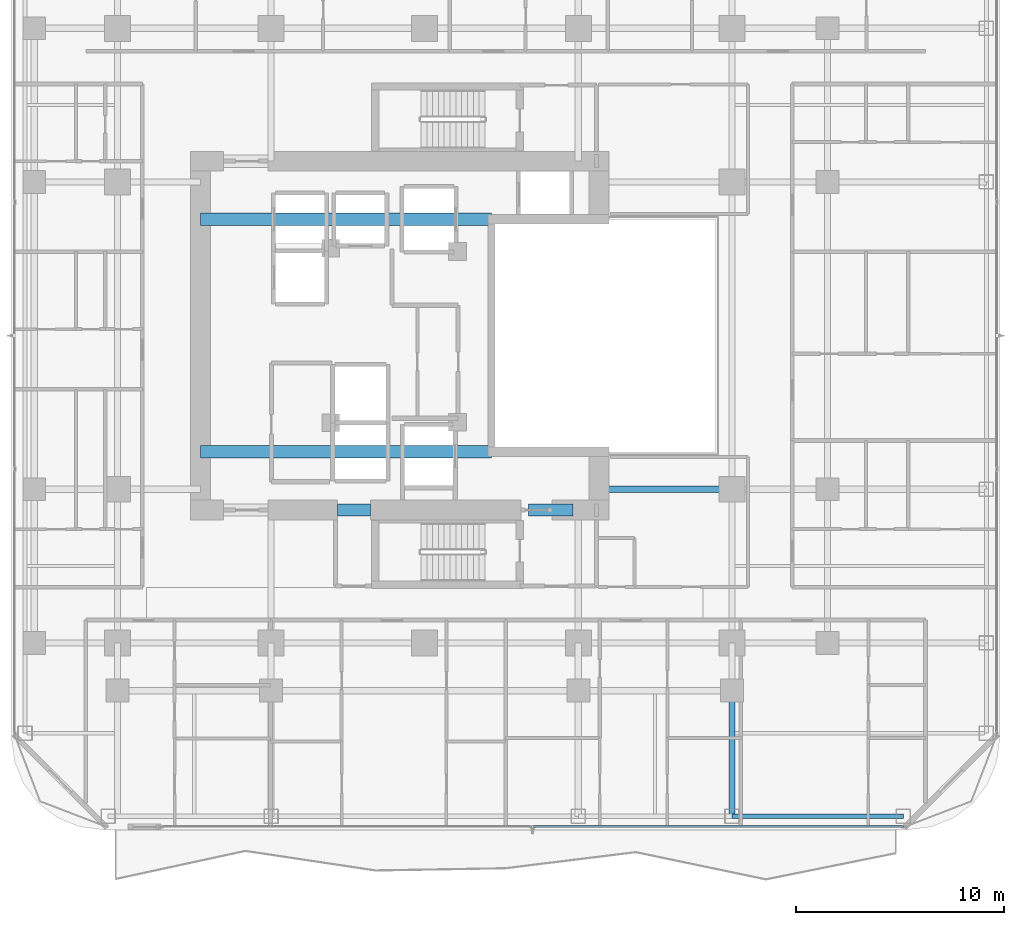
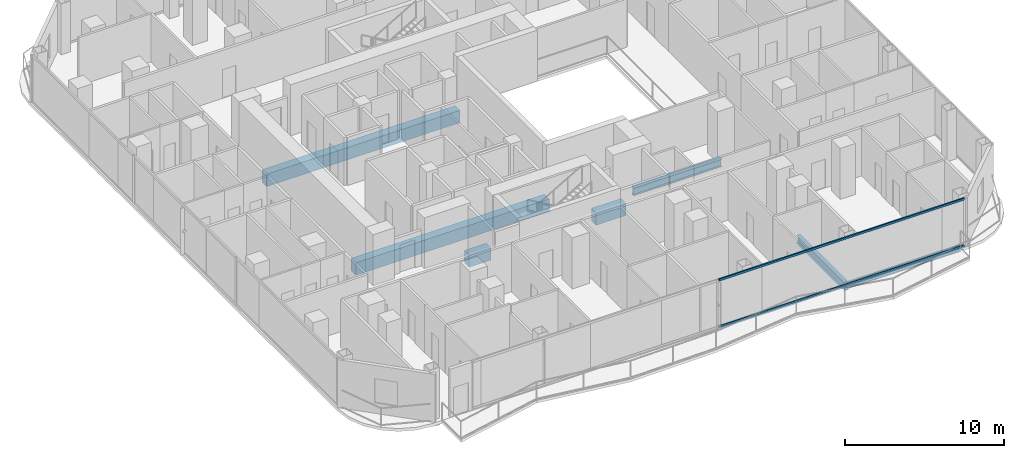
# One storey, part 6 of 29: 7 beams, 2 members, 1 element without a shape of its own.
"""IFC4 building model written with IfcOpenShell, lengths in metres."""

from ifc_helpers import new_model, si_unit, direction, frame, origin, origin_2d, place, context, subcontext, project, spatial, rectangle, hollow_rectangle, i_section, extrude, material, layer, layer_set, material_profile, profile_set, type_object, element, aggregate, save


model = new_model("IFC4")

# Units and contexts
model_context = context("Model", 3, precision=1e-05, world=origin(), true_north=direction((0.0, 1.0)))
body_context = subcontext(model_context, "Body", "Model", "MODEL_VIEW")
ifc_project = project(units=[si_unit("LENGTHUNIT", "METRE"), si_unit("AREAUNIT", "SQUARE_METRE"), si_unit("VOLUMEUNIT", "CUBIC_METRE"), si_unit("PLANEANGLEUNIT", "RADIAN"), si_unit("MASSUNIT", "GRAM", prefix="KILO")], contexts=[model_context])

# Site, building, storey
site_placement = place(None, origin())
site = spatial("IfcSite", under=ifc_project, at=site_placement, CompositionType="ELEMENT")
building_placement = place(site_placement, origin())
building = spatial("IfcBuilding", under=site, at=building_placement, Name="Khorvyn Point Tower", CompositionType="ELEMENT")
storey_placement = place(building_placement, frame((0.0, 0.0, 144.60009765625)))
storey = spatial("IfcBuildingStorey", under=building, at=storey_placement, Name="L36", CompositionType="ELEMENT", Elevation=144.60009765625)

# Curtain wall, members
ifc_material_1 = material(Name="Anodised aluminium 6063-T6 and laminated Low-E glass", Category="aluminium")
ifc_layer = layer(ifc_material_1, 0.18994140625)
ifc_layer_set = layer_set([ifc_layer], Name="Stick-Built Acoustic Curtain Wall CW-SYS-03")
curtain_wall_type = type_object("IfcCurtainWallType", Name="Stick-Built Acoustic Curtain Wall CW-SYS-03", PredefinedType="NOTDEFINED", material=ifc_layer_set)
curtain_wall_placement = place(storey_placement, origin())
curtain_wall = element("IfcCurtainWall", 1, at=curtain_wall_placement, inside=storey, type_object=curtain_wall_type, Name="Curtain Wall", PredefinedType="NOTDEFINED")
ifc_material_2 = material(Name="Anodised aluminium 6063-T6", Category="aluminium")
ifc_material_profile_1 = material_profile(ifc_material_2, hollow_rectangle(XDim=0.10009765625, YDim=0.159912109375, WallThickness=0.00439453125, at=origin_2d()))
ifc_profile_set_1 = profile_set([ifc_material_profile_1], Name="Anodised aluminium 6063-T6 ALU-TRN-100x160")
member_type = type_object("IfcMemberType", Name="Anodised Aluminium 6063-T6 Transom ALU-TRN-100x160", PredefinedType="USERDEFINED", material=ifc_profile_set_1)
member_1_placement = place(storey_placement, frame((23.050048828125, -23.64990234375, 0.0498046875), z_axis=(-1.0, 0.0, 0.0), x_axis=(0.0, -1.0, 0.0)))
member_1 = element("IfcMember", 2, at=member_1_placement, type_object=member_type, Name="Transom", ObjectType="TRANSOM", PredefinedType="USERDEFINED", context=body_context, shape_type="SweptSolid", body=[
    extrude(hollow_rectangle(XDim=0.10009765625, YDim=0.159912109375, WallThickness=0.00439453125, at=origin_2d()), origin(), (0.0, 0.0, 1.0), 17.8095703125),
])
member_2_placement = place(storey_placement, frame((23.050048828125, -23.64990234375, 3.6298828125), z_axis=(-1.0, 0.0, 0.0), x_axis=(0.0, -1.0, 0.0)))
member_2 = element("IfcMember", 3, at=member_2_placement, type_object=member_type, Name="Transom", ObjectType="TRANSOM", PredefinedType="USERDEFINED", context=body_context, shape_type="SweptSolid", body=[
    extrude(hollow_rectangle(XDim=0.10009765625, YDim=0.159912109375, WallThickness=0.00439453125, at=origin_2d()), origin(), (0.0, 0.0, 1.0), 17.8095703125),
])
aggregate(curtain_wall, [member_1, member_2])

# Beams
ifc_material_3 = material(Name="Concrete C50/60", Category="concrete")
ifc_material_profile_2 = material_profile(ifc_material_3, rectangle(XDim=0.60009765625, YDim=0.949951171875, at=origin_2d()))
ifc_profile_set_2 = profile_set([ifc_material_profile_2], Name="Concrete C50/60 RC600x950")
beam_type_1 = type_object("IfcBeamType", Name="Concrete C50/60 Beam RC600x950", PredefinedType="BEAM", material=ifc_profile_set_2)
for number, where, z_axis, x_axis, name in (
    (4, (-10.800048828125, -5.60009765625, -0.695068359375), (1.0, 0.0, 0.0), (0.0, 1.0, 0.0), "L36 Core Internal Tie Girder S"),
    (5, (-10.800048828125, 5.60009765625, -0.695068359375), (1.0, 0.0, 0.0), (0.0, 1.0, 0.0), "L36 Core Internal Tie Girder N"),
):
    element("IfcBeam", number, at=place(storey_placement, frame(where, z_axis=z_axis, x_axis=x_axis)), inside=storey, type_object=beam_type_1, Name=name, PredefinedType="BEAM", context=body_context, shape_type="SweptSolid", body=[
        extrude(rectangle(XDim=0.60009765625, YDim=0.949951171875, at=origin_2d()), origin(), (0.0, 0.0, 1.0), 14.02001953125),
    ])
beam_1_placement = place(storey_placement, frame((-4.199951171875, -8.39990234375, -0.695068359375), z_axis=(1.0, 0.0, 0.0), x_axis=(0.0, 1.0, 0.0)))
element("IfcBeam", 6, at=beam_1_placement, inside=storey, type_object=beam_type_1, Name="L36 Core Shuttle Portal Coupling Beam", PredefinedType="BEAM", context=body_context, shape_type="SweptSolid", body=[
    extrude(rectangle(XDim=0.60009765625, YDim=0.949951171875, at=origin_2d()), origin(), (0.0, 0.0, 1.0), 1.579833984375),
])
beam_2_placement = place(storey_placement, frame((5.0, -8.39990234375, -0.695068359375), z_axis=(1.0, 0.0, 0.0), x_axis=(0.0, 1.0, 0.0)))
element("IfcBeam", 7, at=beam_2_placement, inside=storey, type_object=beam_type_1, Name="L36 Core Southeast Portal Coupling Beam", PredefinedType="BEAM", context=body_context, shape_type="SweptSolid", body=[
    extrude(rectangle(XDim=0.60009765625, YDim=0.949951171875, at=origin_2d()), origin(), (0.0, 0.0, 1.0), 2.14990234375),
])
ifc_material_4 = material(Name="Steel S355", Category="steel")
ifc_material_profile_3 = material_profile(ifc_material_4, i_section(OverallWidth=0.300048828125, OverallDepth=0.587890625, WebThickness=0.011962890625, FlangeThickness=0.02001953125, at=origin_2d()))
ifc_profile_set_3 = profile_set([ifc_material_profile_3], Name="Steel S355 H588x300x12x20")
beam_type_2 = type_object("IfcBeamType", Name="Steel S355 Beam H588x300x12x20", PredefinedType="BEAM", material=ifc_profile_set_3)
beam_3_placement = place(storey_placement, frame((8.39990234375, -7.39990234375, -0.51416015625), z_axis=(1.0, 0.0, 0.0), x_axis=(0.0, 1.0, 0.0)))
element("IfcBeam", 8, at=beam_3_placement, inside=storey, type_object=beam_type_2, Name="Beam", PredefinedType="BEAM", context=body_context, shape_type="SweptSolid", body=[
    extrude(i_section(OverallWidth=0.300048828125, OverallDepth=0.587890625, WebThickness=0.011962890625, FlangeThickness=0.02001953125, at=origin_2d()), origin(), (0.0, 0.0, 1.0), 6.400146484375),
])
beam_4_placement = place(storey_placement, frame((14.800048828125, -23.14990234375, -0.51416015625), z_axis=(0.0, 1.0, 0.0), x_axis=(-1.0, 0.0, 0.0)))
element("IfcBeam", 9, at=beam_4_placement, inside=storey, type_object=beam_type_2, Name="Beam", PredefinedType="BEAM", context=body_context, shape_type="SweptSolid", body=[
    extrude(i_section(OverallWidth=0.300048828125, OverallDepth=0.587890625, WebThickness=0.011962890625, FlangeThickness=0.02001953125, at=origin_2d()), origin(), (0.0, 0.0, 1.0), 6.0498046875),
])
ifc_material_profile_4 = material_profile(ifc_material_4, i_section(OverallWidth=0.199951171875, OverallDepth=0.449951171875, WebThickness=0.009033203125, FlangeThickness=0.013916015625, at=origin_2d()))
ifc_profile_set_4 = profile_set([ifc_material_profile_4], Name="Steel S355 H450x200x9x14")
beam_type_3 = type_object("IfcBeamType", Name="Steel S355 Spandrel H450x200x9x14", PredefinedType="SPANDREL", material=ifc_profile_set_4)
beam_5_placement = place(storey_placement, frame((14.800048828125, -23.14990234375, -0.445068359375), z_axis=(1.0, 0.0, 0.0), x_axis=(0.0, 1.0, 0.0)))
element("IfcBeam", 10, at=beam_5_placement, inside=storey, type_object=beam_type_3, Name="Beam", PredefinedType="SPANDREL", context=body_context, shape_type="SweptSolid", body=[
    extrude(i_section(OverallWidth=0.199951171875, OverallDepth=0.449951171875, WebThickness=0.009033203125, FlangeThickness=0.013916015625, at=origin_2d()), origin(), (0.0, 0.0, 1.0), 8.25),
])

save(model, "model.ifc")
